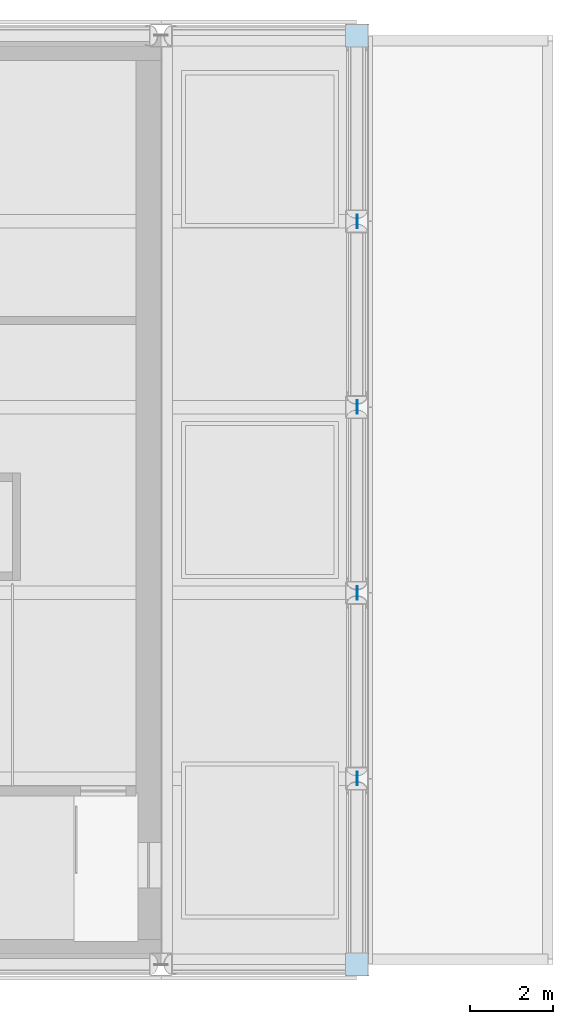
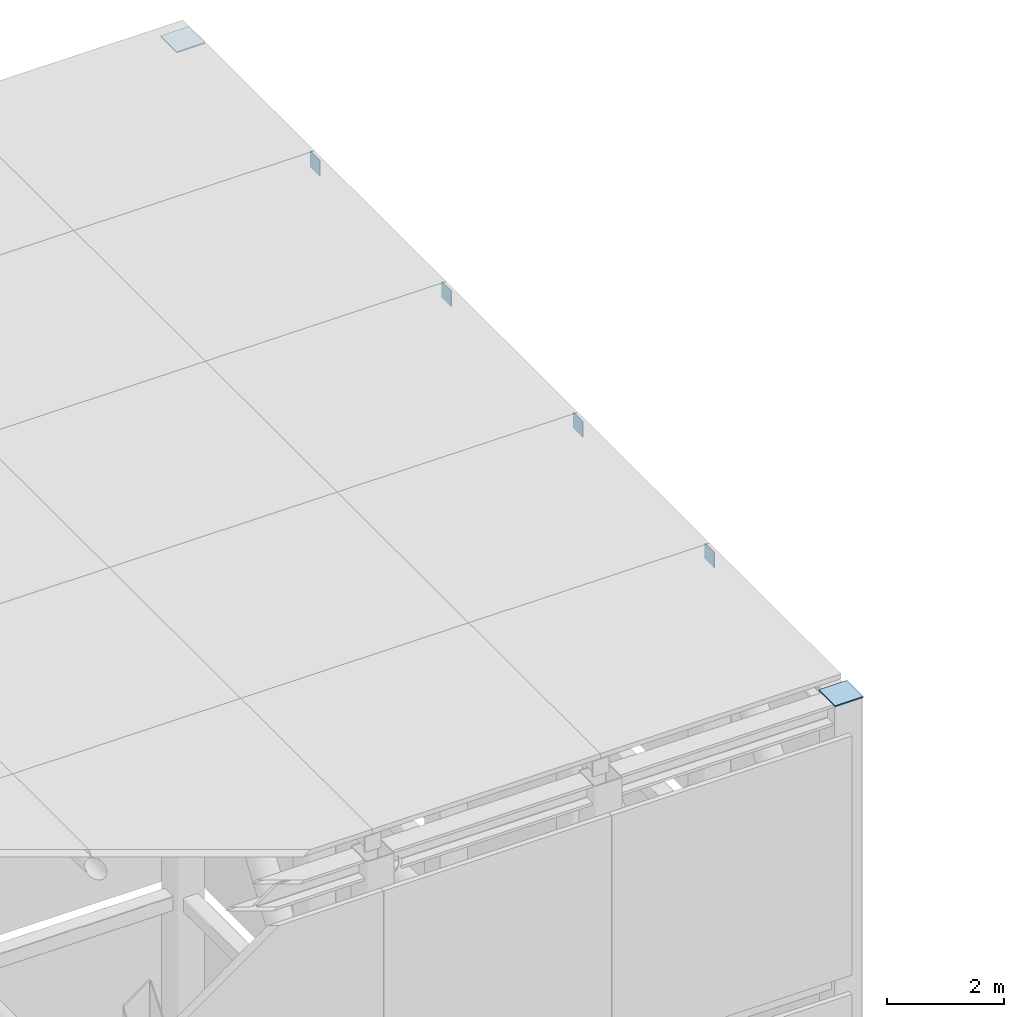
# One storey, part 6 of 11: 6 plates.
"""IFC4 building model written with IfcOpenShell, lengths in metres."""

from ifc_helpers import new_model, si_unit, direction, frame, origin, origin_2d, place, context, subcontext, project, spatial, rectangle, extrude, material, layer, layer_set, type_object, element, save


model = new_model("IFC4")

# Units and contexts
model_context = context("Model", 3, precision=1e-05, world=origin(), true_north=direction((0.0, 1.0)))
body_context = subcontext(model_context, "Body", "Model", "MODEL_VIEW")
ifc_project = project(units=[si_unit("LENGTHUNIT", "METRE"), si_unit("AREAUNIT", "SQUARE_METRE"), si_unit("VOLUMEUNIT", "CUBIC_METRE"), si_unit("PLANEANGLEUNIT", "RADIAN"), si_unit("MASSUNIT", "GRAM", prefix="KILO")], contexts=[model_context])

# Site, building, storey
site_placement = place(None, origin())
site = spatial("IfcSite", under=ifc_project, at=site_placement, CompositionType="ELEMENT")
building_placement = place(site_placement, origin())
building = spatial("IfcBuilding", under=site, at=building_placement, Name="Sennacour Bend Tower", CompositionType="ELEMENT")
storey_placement = place(building_placement, frame((0.0, 0.0, 355.5)))
storey = spatial("IfcBuildingStorey", under=building, at=storey_placement, Name="RF", CompositionType="ELEMENT", Elevation=355.5)

# Plates
ifc_material = material(Name="Steel ASTM A572 Grade 50", Category="steel")
ifc_layer_1 = layer(ifc_material, 0.02490234375, Name="Steel ASTM A572 Grade 50", Category="steel")
ifc_layer_set_1 = layer_set([ifc_layer_1], Name="Steel ASTM A572 Grade 50")
plate_type_1 = type_object("IfcPlateType", Name="Crown post cap plate 25", PredefinedType="USERDEFINED", material=ifc_layer_set_1)
for number, where, z_axis, x_axis, name in (
    (1, (72.25, 0.0, 23.67626953125), (0.0, 0.0, 1.0), (1.0, 0.0, 0.0), "CROWN FRAME post cap plate CPC-002"),
    (2, (72.25, 22.5, 23.67626953125), (0.0, 0.0, 1.0), (1.0, 0.0, 0.0), "CROWN FRAME post cap plate CPC-003"),
):
    element("IfcPlate", number, at=place(storey_placement, frame(where, z_axis=z_axis, x_axis=x_axis)), inside=storey, type_object=plate_type_1, Name=name, ObjectType="END PLATE", PredefinedType="USERDEFINED", context=body_context, shape_type="SweptSolid", body=[
        extrude(rectangle(XDim=0.558837890625, YDim=0.558837890625, at=origin_2d()), origin(), (0.0, 0.0, 1.0), 0.02490234375),
    ])
ifc_layer_2 = layer(ifc_material, 0.02001953125, Name="Steel ASTM A572 Grade 50", Category="steel")
ifc_layer_set_2 = layer_set([ifc_layer_2], Name="Steel ASTM A572 Grade 50")
plate_type_2 = type_object("IfcPlateType", Name="Crown rafter end plate 20", PredefinedType="USERDEFINED", material=ifc_layer_set_2)
for number, where, z_axis, x_axis, name in (
    (3, (72.260009765625, 4.5, 23.67626953125), (0.0, 0.0, 1.0), (1.0, 0.0, 0.0), "CROWN FRAME rafter end plate CFP-014"),
    (4, (72.260009765625, 9.0, 23.67626953125), (0.0, 0.0, 1.0), (1.0, 0.0, 0.0), "CROWN FRAME rafter end plate CFP-016"),
    (5, (72.260009765625, 13.5, 23.67626953125), (0.0, 0.0, 1.0), (1.0, 0.0, 0.0), "CROWN FRAME rafter end plate CFP-018"),
    (6, (72.260009765625, 18.0, 23.67626953125), (0.0, 0.0, 1.0), (1.0, 0.0, 0.0), "CROWN FRAME rafter end plate CFP-020"),
):
    element("IfcPlate", number, at=place(storey_placement, frame(where, z_axis=z_axis, x_axis=x_axis)), inside=storey, type_object=plate_type_2, Name=name, ObjectType="END PLATE", PredefinedType="USERDEFINED", context=body_context, shape_type="SweptSolid", body=[
        extrude(rectangle(XDim=0.02001953125, YDim=0.323974609375, at=origin_2d()), origin(), (0.0, 0.0, 1.0), 0.323974609375),
    ])

save(model, "model.ifc")
